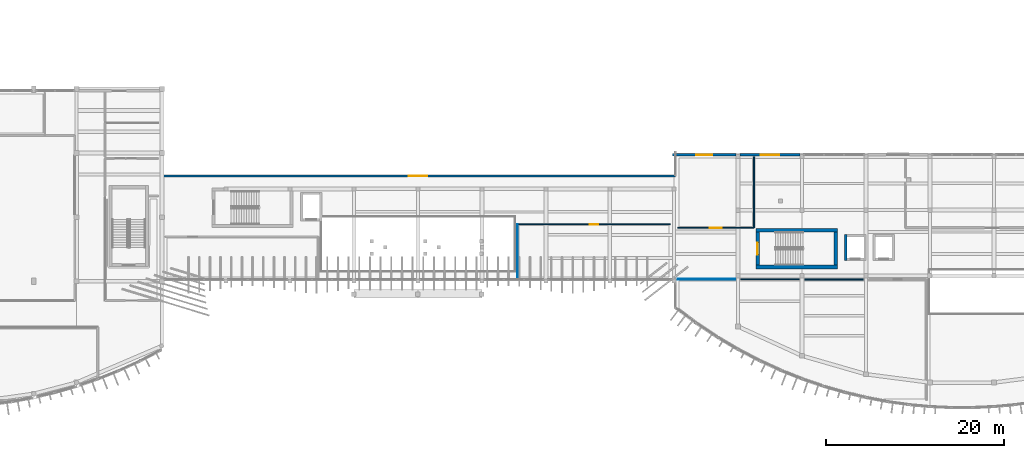
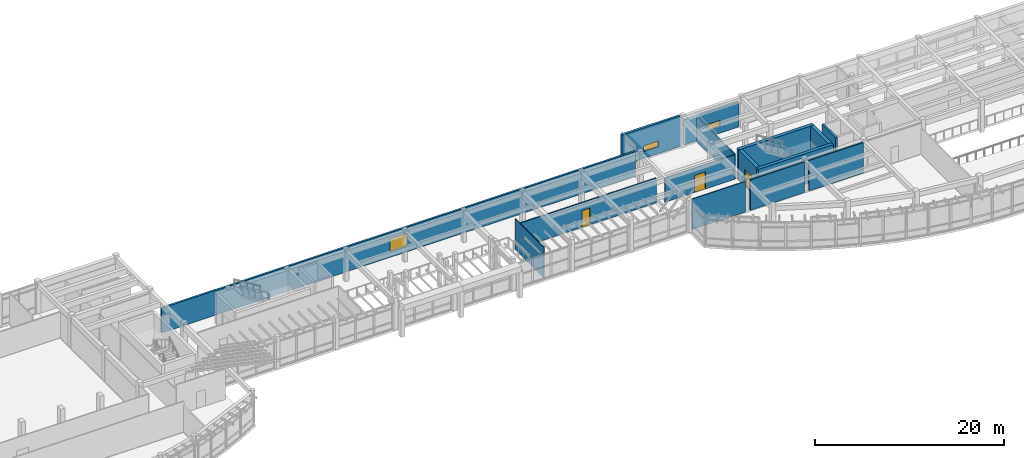
# One storey, part 37 of 60: 15 walls, 3 doors, 3 windows, 6 openings.
"""IFC4 building model written with IfcOpenShell, lengths in metres."""

from ifc_helpers import new_model, si_unit, direction, frame, frame_2d, origin, place, context, subcontext, project, spatial, rectangle, extrude, material, layer, layer_set, type_object, element, fill, save


model = new_model("IFC4")

# Units and contexts
model_context = context("Model", 3, precision=1e-05, world=origin(), true_north=direction((0.0, 1.0)))
body_context = subcontext(model_context, "Body", "Model", "MODEL_VIEW")
ifc_project = project(units=[si_unit("LENGTHUNIT", "METRE"), si_unit("AREAUNIT", "SQUARE_METRE"), si_unit("VOLUMEUNIT", "CUBIC_METRE"), si_unit("PLANEANGLEUNIT", "RADIAN"), si_unit("MASSUNIT", "GRAM", prefix="KILO")], contexts=[model_context])

# Site, building, storey
site_placement = place(None, origin())
site = spatial("IfcSite", under=ifc_project, at=site_placement, CompositionType="ELEMENT")
building_placement = place(site_placement, origin())
building = spatial("IfcBuilding", under=site, at=building_placement, Name="Brisavento Harbour Community Centre", CompositionType="ELEMENT")
storey_placement = place(building_placement, frame((0.0, 0.0, 4.5)))
storey = spatial("IfcBuildingStorey", under=building, at=storey_placement, Name="L01", CompositionType="ELEMENT", Elevation=4.5)

# Walls
ifc_material_1 = material(Name="Concrete C40/50", Category="concrete")
ifc_layer_1 = layer(ifc_material_1, 0.39990234375, Name="Concrete C40/50")
ifc_layer_set_1 = layer_set([ifc_layer_1], Name="Concrete C40/50")
wall_type_1 = type_object("IfcWallType", Name="WL-CORE-400", PredefinedType="SHEAR", material=ifc_layer_set_1)
for number, where, z_axis, x_axis, name in (
    (1, (117.199951171875, 16.0, 0.0), (0.0, 0.0, 1.0), (1.0, 0.0, 0.0), "L01 core C3A shear wall L"),
    (2, (126.39990234375, 20.14990234375, 0.0), (0.0, 0.0, 1.0), (-1.0, 0.0, 0.0), "L01 core C3A shear wall R"),
):
    element("IfcWall", number, at=place(storey_placement, frame(where, z_axis=z_axis, x_axis=x_axis)), inside=storey, type_object=wall_type_1, Name=name, PredefinedType="SHEAR", context=body_context, shape_type="SweptSolid", body=[
        extrude(rectangle(XDim=9.199951171875, YDim=0.39990234375, at=frame_2d((4.60009765625, 0.0))), origin(), (0.0, 0.0, 1.0), 3.949951171875),
    ])
wall_1_placement = place(storey_placement, frame((126.199951171875, 16.199951171875, 0.0), z_axis=(0.0, 0.0, 1.0), x_axis=(0.0, 1.0, 0.0)))
element("IfcWall", 3, at=wall_1_placement, inside=storey, type_object=wall_type_1, Name="L01 core C3A shear wall F", PredefinedType="SHEAR", context=body_context, shape_type="SweptSolid", body=[
    extrude(rectangle(XDim=3.75, YDim=0.39990234375, at=frame_2d((1.875, 0.0))), origin(), (0.0, 0.0, 1.0), 3.949951171875),
])

# Wall, opening, door
wall_2_placement = place(storey_placement, frame((117.39990234375, 19.949951171875, 0.0), z_axis=(0.0, 0.0, 1.0), x_axis=(0.0, -1.0, 0.0)))
wall_2 = element("IfcWall", 4, at=wall_2_placement, inside=storey, type_object=wall_type_1, Name="L01 core C3A shear wall N", PredefinedType="SHEAR", context=body_context, shape_type="SweptSolid", body=[
    extrude(rectangle(XDim=3.75, YDim=0.39990234375, at=frame_2d((1.875, 0.0))), origin(), (0.0, 0.0, 1.0), 3.949951171875),
])
opening_1_placement = place(wall_2_placement, frame((1.199951171875, 0.0, 0.0)))
opening_1 = element("IfcOpeningElement", 5, at=opening_1_placement, cuts=wall_2, Name="Opening SD-02", PredefinedType="OPENING", context=body_context, shape_type="SweptSolid", body=[
    extrude(rectangle(XDim=1.35009765625, YDim=2.199951171875, at=frame_2d((0.675048828125, 1.10009765625))), frame((0.0, 0.2099609375, 0.0), z_axis=(0.0, -1.0, 0.0), x_axis=(1.0, 0.0, 0.0)), (0.0, 0.0, 1.0), 0.419921875),
])
ifc_material_2 = material(Name="Fire-rated steel door assembly", Category="steel")
door_type_1 = type_object("IfcDoorType", Name="DR-STAIR-135x220", OperationType="NOTDEFINED", PredefinedType="DOOR", material=ifc_material_2)
door_1_placement = place(opening_1_placement, origin())
door_1 = element("IfcDoor", 6, at=door_1_placement, inside=storey, type_object=door_type_1, Name="L01 exit stair ST-04 fire door", OperationType="SINGLE_SWING_LEFT", OverallHeight=2.199951171875, OverallWidth=1.35009765625, PredefinedType="DOOR", context=body_context, shape_type="SweptSolid", body=[
    extrude(rectangle(XDim=1.35009765625, YDim=2.199951171875, at=frame_2d((0.675048828125, 1.10009765625))), frame((0.0, 0.02490234375, 0.0), z_axis=(0.0, -1.0, 0.0), x_axis=(1.0, 0.0, 0.0)), (0.0, 0.0, 1.0), 0.050048828125),
])
fill(opening_1, door_1)

# Wall, opening, window
ifc_material_3 = material(Name="Terracotta masonry unit", Category="masonry")
ifc_layer_2 = layer(ifc_material_3, 0.239990234375, Name="Terracotta masonry unit")
ifc_layer_set_2 = layer_set([ifc_layer_2], Name="Terracotta masonry unit")
wall_type_2 = type_object("IfcWallType", Name="WL-EXT-240", PredefinedType="SOLIDWALL", material=ifc_layer_set_2)
wall_3_placement = place(storey_placement, frame((50.25, 26.219970703125, 0.0), z_axis=(0.0, 0.0, 1.0), x_axis=(1.0, 0.0, 0.0)))
wall_3 = element("IfcWall", 7, at=wall_3_placement, inside=storey, type_object=wall_type_2, Name="L01 V2 exterior wall 0178", PredefinedType="SOLIDWALL", context=body_context, shape_type="SweptSolid", body=[
    extrude(rectangle(XDim=57.89990234375, YDim=0.239990234375, at=frame_2d((28.949951171875, 0.0))), origin(), (0.0, 0.0, 1.0), 3.199951171875),
])
opening_2_placement = place(wall_3_placement, frame((27.89990234375, 0.0, 0.75)))
opening_2 = element("IfcOpeningElement", 8, at=opening_2_placement, cuts=wall_3, Name="Opening W-22", PredefinedType="OPENING", context=body_context, shape_type="SweptSolid", body=[
    extrude(rectangle(XDim=2.10009765625, YDim=1.64990234375, at=frame_2d((1.050048828125, 0.824951171875))), frame((0.0, 0.1298828125, 0.0), z_axis=(0.0, -1.0, 0.0), x_axis=(1.0, 0.0, 0.0)), (0.0, 0.0, 1.0), 0.260009765625),
])
ifc_material_4 = material(Name="Solar-control laminated low-E glass", Category="glass")
window_type_1 = type_object("IfcWindowType", Name="WIN-CAS-22", PartitioningType="SINGLE_PANEL", PredefinedType="WINDOW", material=ifc_material_4)
window_1_placement = place(opening_2_placement, origin())
window_1 = element("IfcWindow", 9, at=window_1_placement, inside=storey, type_object=window_type_1, Name="L01 V2 impact casement window 0058", OverallHeight=1.64990234375, OverallWidth=2.10009765625, PartitioningType="SINGLE_PANEL", PredefinedType="WINDOW", context=body_context, shape_type="SweptSolid", body=[
    extrude(rectangle(XDim=2.10009765625, YDim=1.64990234375, at=frame_2d((1.050048828125, 0.824951171875))), frame((0.0, 0.030029296875, 0.0), z_axis=(0.0, -1.0, 0.0), x_axis=(1.0, 0.0, 0.0)), (0.0, 0.0, 1.0), 0.06005859375),
])
fill(opening_2, window_1)

ifc_layer_3 = layer(ifc_material_3, 0.260009765625, Name="Terracotta masonry unit")
ifc_layer_set_3 = layer_set([ifc_layer_3], Name="Terracotta masonry unit")
wall_type_3 = type_object("IfcWallType", Name="WL-EXT-260", PredefinedType="SOLIDWALL", material=ifc_layer_set_3)
wall_4_placement = place(storey_placement, frame((115.409912109375, 28.6201171875, 0.0), z_axis=(0.0, 0.0, 1.0), x_axis=(1.0, 0.0, 0.0)))
wall_4 = element("IfcWall", 10, at=wall_4_placement, inside=storey, type_object=wall_type_3, Name="L01 V3 exterior wall 0182", PredefinedType="SOLIDWALL", context=body_context, shape_type="SweptSolid", body=[
    extrude(rectangle(XDim=6.780029296875, YDim=0.260009765625, at=frame_2d((3.39013671875, 0.0))), origin(), (0.0, 0.0, 1.0), 3.25),
])
opening_3_placement = place(wall_4_placement, frame((2.340087890625, 0.0, 0.89990234375)))
opening_3 = element("IfcOpeningElement", 11, at=opening_3_placement, cuts=wall_4, Name="Opening W-26", PredefinedType="OPENING", context=body_context, shape_type="SweptSolid", body=[
    extrude(rectangle(XDim=2.10009765625, YDim=0.75, at=frame_2d((1.050048828125, 0.375))), frame((0.0, 0.14013671875, 0.0), z_axis=(0.0, -1.0, 0.0), x_axis=(1.0, 0.0, 0.0)), (0.0, 0.0, 1.0), 0.280029296875),
])
window_type_2 = type_object("IfcWindowType", Name="WIN-CAS-26", PartitioningType="SINGLE_PANEL", PredefinedType="WINDOW", material=ifc_material_4)
window_2_placement = place(opening_3_placement, origin())
window_2 = element("IfcWindow", 12, at=window_2_placement, inside=storey, type_object=window_type_2, Name="L01 V3 impact casement window 0062", OverallHeight=0.75, OverallWidth=2.10009765625, PartitioningType="SINGLE_PANEL", PredefinedType="WINDOW", context=body_context, shape_type="SweptSolid", body=[
    extrude(rectangle(XDim=2.10009765625, YDim=0.75, at=frame_2d((1.050048828125, 0.375))), frame((0.0, 0.030029296875, 0.0), z_axis=(0.0, -1.0, 0.0), x_axis=(1.0, 0.0, 0.0)), (0.0, 0.0, 1.0), 0.06005859375),
])
fill(opening_3, window_2)

ifc_material_5 = material(Name="Precast concrete C40/50", Category="concrete")
ifc_layer_4 = layer(ifc_material_5, 0.280029296875, Name="Precast concrete C40/50")
ifc_layer_set_4 = layer_set([ifc_layer_4], Name="Precast concrete C40/50")
wall_type_4 = type_object("IfcWallType", Name="WL-EXT-280", PredefinedType="SOLIDWALL", material=ifc_layer_set_4)
wall_5_placement = place(storey_placement, frame((107.85009765625, 28.6201171875, 0.0), z_axis=(0.0, 0.0, 1.0), x_axis=(1.0, 0.0, 0.0)))
wall_5 = element("IfcWall", 13, at=wall_5_placement, inside=storey, type_object=wall_type_4, Name="L01 V3 exterior wall 0181", PredefinedType="SOLIDWALL", context=body_context, shape_type="SweptSolid", body=[
    extrude(rectangle(XDim=7.139892578125, YDim=0.280029296875, at=frame_2d((3.56982421875, 0.0))), origin(), (0.0, 0.0, 1.0), 3.949951171875),
])
opening_4_placement = place(wall_5_placement, frame((2.669921875, 0.0, 0.89990234375)))
opening_4 = element("IfcOpeningElement", 14, at=opening_4_placement, cuts=wall_5, Name="Opening W-25", PredefinedType="OPENING", context=body_context, shape_type="SweptSolid", body=[
    extrude(rectangle(XDim=1.800048828125, YDim=0.75, at=frame_2d((0.89990234375, 0.375))), frame((0.0, 0.14990234375, 0.0), z_axis=(0.0, -1.0, 0.0), x_axis=(1.0, 0.0, 0.0)), (0.0, 0.0, 1.0), 0.300048828125),
])
window_type_3 = type_object("IfcWindowType", Name="WIN-CAS-25", PartitioningType="SINGLE_PANEL", PredefinedType="WINDOW", material=ifc_material_4)
window_3_placement = place(opening_4_placement, origin())
window_3 = element("IfcWindow", 15, at=window_3_placement, inside=storey, type_object=window_type_3, Name="L01 V3 impact casement window 0061", OverallHeight=0.75, OverallWidth=1.800048828125, PartitioningType="SINGLE_PANEL", PredefinedType="WINDOW", context=body_context, shape_type="SweptSolid", body=[
    extrude(rectangle(XDim=1.800048828125, YDim=0.75, at=frame_2d((0.89990234375, 0.375))), frame((0.0, 0.030029296875, 0.0), z_axis=(0.0, -1.0, 0.0), x_axis=(1.0, 0.0, 0.0)), (0.0, 0.0, 1.0), 0.06005859375),
])
fill(opening_4, window_3)

# Walls
ifc_material_6 = material(Name="Lightweight stud partition", Category="other")
ifc_layer_5 = layer(ifc_material_6, 0.10009765625, Name="Lightweight stud partition")
ifc_layer_set_5 = layer_set([ifc_layer_5], Name="Lightweight stud partition")
wall_type_5 = type_object("IfcWallType", Name="WL-PRT-100", PredefinedType="PARTITIONING", material=ifc_layer_set_5)
wall_6_placement = place(storey_placement, frame((90.39990234375, 20.800048828125, 0.0), z_axis=(0.0, 0.0, 1.0), x_axis=(0.0, -1.0, 0.0)))
element("IfcWall", 16, at=wall_6_placement, inside=storey, type_object=wall_type_5, Name="L01 Civic Exhibition Bridge partition 0155", PredefinedType="PARTITIONING", context=body_context, shape_type="SweptSolid", body=[
    extrude(rectangle(XDim=6.10009765625, YDim=0.10009765625, at=frame_2d((3.050048828125, 0.0))), origin(), (0.0, 0.0, 1.0), 3.949951171875),
])
wall_7_placement = place(storey_placement, frame((114.909912109375, 14.60009765625, 0.0), z_axis=(0.0, 0.0, 1.0), x_axis=(-1.0, 0.0, 0.0)))
element("IfcWall", 17, at=wall_7_placement, inside=storey, type_object=wall_type_5, Name="L01 Public Library Lending Hall partition 0159", PredefinedType="PARTITIONING", context=body_context, shape_type="SweptSolid", body=[
    extrude(rectangle(XDim=6.510009765625, YDim=0.10009765625, at=frame_2d((3.2548828125, 0.0))), origin(), (0.0, 0.0, 1.0), 3.949951171875),
])

# Wall, opening, door
wall_8_placement = place(storey_placement, frame((108.39990234375, 20.39990234375, 0.0), z_axis=(0.0, 0.0, 1.0), x_axis=(1.0, 0.0, 0.0)))
wall_8 = element("IfcWall", 18, at=wall_8_placement, inside=storey, type_object=wall_type_5, Name="L01 Library Staff Workroom partition 0175", PredefinedType="PARTITIONING", context=body_context, shape_type="SweptSolid", body=[
    extrude(rectangle(XDim=8.60009765625, YDim=0.10009765625, at=frame_2d((4.300048828125, 0.0))), origin(), (0.0, 0.0, 1.0), 3.14990234375),
])
opening_5_placement = place(wall_8_placement, frame((3.64990234375, 0.0, 0.0)))
opening_5 = element("IfcOpeningElement", 19, at=opening_5_placement, cuts=wall_8, Name="Opening ID-05", PredefinedType="OPENING", context=body_context, shape_type="SweptSolid", body=[
    extrude(rectangle(XDim=1.300048828125, YDim=2.199951171875, at=frame_2d((0.64990234375, 1.10009765625))), frame((0.0, 0.06005859375, 0.0), z_axis=(0.0, -1.0, 0.0), x_axis=(1.0, 0.0, 0.0)), (0.0, 0.0, 1.0), 0.1201171875),
])
ifc_material_7 = material(Name="Solid-core tropical timber door", Category="wood")
door_type_2 = type_object("IfcDoorType", Name="DR-INT-130x220", OperationType="NOTDEFINED", PredefinedType="DOOR", material=ifc_material_7)
door_2_placement = place(opening_5_placement, origin())
door_2 = element("IfcDoor", 20, at=door_2_placement, inside=storey, type_object=door_type_2, Name="L01 Library Staff Workroom door 0060", OperationType="SINGLE_SWING_LEFT", OverallHeight=2.199951171875, OverallWidth=1.300048828125, PredefinedType="DOOR", context=body_context, shape_type="SweptSolid", body=[
    extrude(rectangle(XDim=1.300048828125, YDim=2.199951171875, at=frame_2d((0.64990234375, 1.10009765625))), frame((0.0, 0.02490234375, 0.0), z_axis=(0.0, -1.0, 0.0), x_axis=(1.0, 0.0, 0.0)), (0.0, 0.0, 1.0), 0.050048828125),
])
fill(opening_5, door_2)

ifc_material_8 = material(Name="Gypsum metal-stud partition", Category="other")
ifc_layer_6 = layer(ifc_material_8, 0.1201171875, Name="Gypsum metal-stud partition")
ifc_layer_set_6 = layer_set([ifc_layer_6], Name="Gypsum metal-stud partition")
wall_type_6 = type_object("IfcWallType", Name="WL-PRT-120", PredefinedType="PARTITIONING", material=ifc_layer_set_6)
wall_9_placement = place(storey_placement, frame((107.60009765625, 20.800048828125, 0.0), z_axis=(0.0, 0.0, 1.0), x_axis=(-1.0, 0.0, 0.0)))
wall_9 = element("IfcWall", 21, at=wall_9_placement, inside=storey, type_object=wall_type_6, Name="L01 Civic Exhibition Bridge partition 0154", PredefinedType="PARTITIONING", context=body_context, shape_type="SweptSolid", body=[
    extrude(rectangle(XDim=17.2001953125, YDim=0.1201171875, at=frame_2d((8.60009765625, 0.0))), origin(), (0.0, 0.0, 1.0), 3.199951171875),
])
opening_6_placement = place(wall_9_placement, frame((8.125, 0.0, 0.0)))
opening_6 = element("IfcOpeningElement", 22, at=opening_6_placement, cuts=wall_9, Name="Opening ID-10", PredefinedType="OPENING", context=body_context, shape_type="SweptSolid", body=[
    extrude(rectangle(XDim=0.949951171875, YDim=2.14990234375, at=frame_2d((0.47509765625, 1.074951171875))), frame((0.0, 0.070068359375, 0.0), z_axis=(0.0, -1.0, 0.0), x_axis=(1.0, 0.0, 0.0)), (0.0, 0.0, 1.0), 0.14013671875),
])
door_type_3 = type_object("IfcDoorType", Name="DR-INT-095x215", OperationType="NOTDEFINED", PredefinedType="DOOR", material=ifc_material_7)
door_3_placement = place(opening_6_placement, origin())
door_3 = element("IfcDoor", 23, at=door_3_placement, inside=storey, type_object=door_type_3, Name="L01 Civic Exhibition Bridge door 0054", OperationType="SINGLE_SWING_LEFT", OverallHeight=2.14990234375, OverallWidth=0.949951171875, PredefinedType="DOOR", context=body_context, shape_type="SweptSolid", body=[
    extrude(rectangle(XDim=0.949951171875, YDim=2.14990234375, at=frame_2d((0.47509765625, 1.074951171875))), frame((0.0, 0.02490234375, 0.0), z_axis=(0.0, -1.0, 0.0), x_axis=(1.0, 0.0, 0.0)), (0.0, 0.0, 1.0), 0.050048828125),
])
fill(opening_6, door_3)

# Walls
wall_10_placement = place(storey_placement, frame((122.110107421875, 14.60009765625, 0.0), z_axis=(0.0, 0.0, 1.0), x_axis=(-1.0, 0.0, 0.0)))
element("IfcWall", 24, at=wall_10_placement, inside=storey, type_object=wall_type_6, Name="L01 Public Library Lending Hall partition 0158", PredefinedType="PARTITIONING", context=body_context, shape_type="SweptSolid", body=[
    extrude(rectangle(XDim=6.6201171875, YDim=0.1201171875, at=frame_2d((3.31005859375, 0.0))), origin(), (0.0, 0.0, 1.0), 3.949951171875),
])
ifc_layer_7 = layer(ifc_material_8, 0.139892578125, Name="Gypsum metal-stud partition")
ifc_layer_set_7 = layer_set([ifc_layer_7], Name="Gypsum metal-stud partition")
wall_type_7 = type_object("IfcWallType", Name="WL-PRT-140", PredefinedType="PARTITIONING", material=ifc_layer_set_7)
wall_11_placement = place(storey_placement, frame((129.31005859375, 14.60009765625, 0.0), z_axis=(0.0, 0.0, 1.0), x_axis=(-1.0, 0.0, 0.0)))
element("IfcWall", 25, at=wall_11_placement, inside=storey, type_object=wall_type_7, Name="L01 Public Library Lending Hall partition 0157", PredefinedType="PARTITIONING", context=body_context, shape_type="SweptSolid", body=[
    extrude(rectangle(XDim=6.6201171875, YDim=0.139892578125, at=frame_2d((3.31005859375, 0.0))), origin(), (0.0, 0.0, 1.0), 3.949951171875),
])
ifc_material_9 = material(Name="Moisture-resistant stud partition", Category="other")
ifc_layer_8 = layer(ifc_material_9, 0.14990234375, Name="Moisture-resistant stud partition")
ifc_layer_set_8 = layer_set([ifc_layer_8], Name="Moisture-resistant stud partition")
wall_type_8 = type_object("IfcWallType", Name="WL-PRT-150", PredefinedType="PARTITIONING", material=ifc_layer_set_8)
wall_12_placement = place(storey_placement, frame((117.0, 20.39990234375, 0.0), z_axis=(0.0, 0.0, 1.0), x_axis=(0.0, 1.0, 0.0)))
element("IfcWall", 26, at=wall_12_placement, inside=storey, type_object=wall_type_8, Name="L01 Library Staff Workroom partition 0176", PredefinedType="PARTITIONING", context=body_context, shape_type="SweptSolid", body=[
    extrude(rectangle(XDim=8.0, YDim=0.14990234375, at=frame_2d((4.0, 0.0))), origin(), (0.0, 0.0, 1.0), 3.25),
])
ifc_material_10 = material(Name="Concrete C35/45", Category="concrete")
ifc_layer_9 = layer(ifc_material_10, 0.25, Name="Concrete C35/45")
ifc_layer_set_9 = layer_set([ifc_layer_9], Name="Concrete C35/45")
wall_type_9 = type_object("IfcWallType", Name="WL-SHF-250", PredefinedType="SOLIDWALL", material=ifc_layer_set_9)
wall_13_placement = place(storey_placement, frame((127.324951171875, 16.75, 0.0), z_axis=(0.0, 0.0, 1.0), x_axis=(0.0, 1.0, 0.0)))
element("IfcWall", 27, at=wall_13_placement, inside=storey, type_object=wall_type_9, Name="L01 lift LC-02 shaft wall W", PredefinedType="SOLIDWALL", context=body_context, shape_type="SweptSolid", body=[
    extrude(rectangle(XDim=2.89990234375, YDim=0.25, at=frame_2d((1.449951171875, 0.0))), origin(), (0.0, 0.0, 1.0), 3.949951171875),
])

save(model, "model.ifc")
